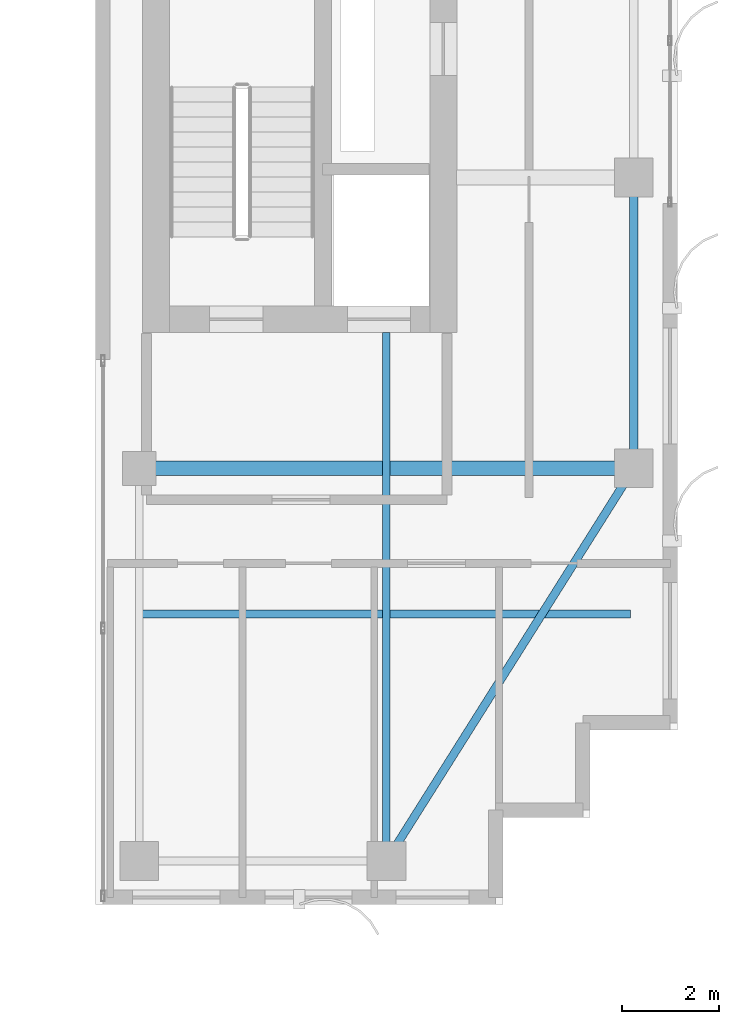
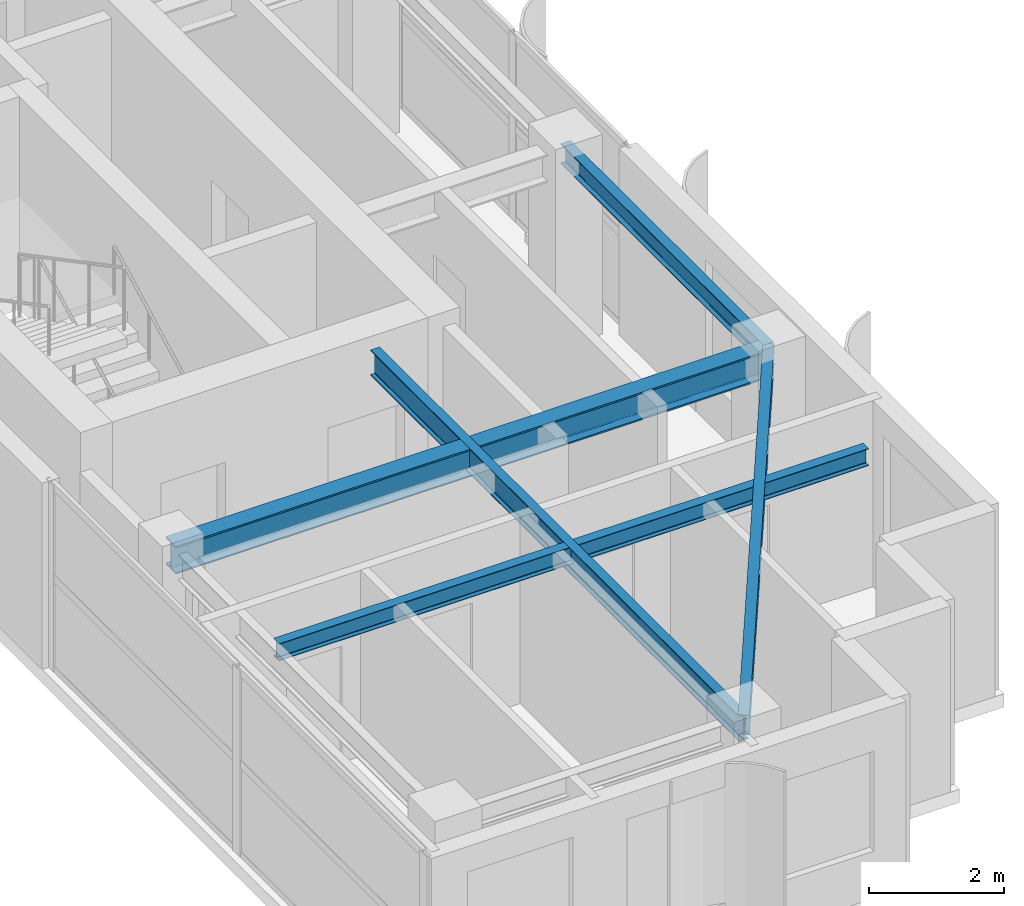
# One storey, part 11 of 22: 5 beams.
"""IFC4 building model written with IfcOpenShell, lengths in metres."""

from ifc_helpers import new_model, si_unit, direction, frame, origin, origin_2d, place, context, subcontext, project, spatial, i_section, extrude, source, transform, mapped, material, material_profile, profile_set, type_object, element, save


model = new_model("IFC4")

# Units and contexts
model_context = context("Model", 3, precision=1e-05, world=origin(), true_north=direction((0.0, 1.0)))
body_context = subcontext(model_context, "Body", "Model", "MODEL_VIEW")
ifc_project = project(units=[si_unit("LENGTHUNIT", "METRE"), si_unit("AREAUNIT", "SQUARE_METRE"), si_unit("VOLUMEUNIT", "CUBIC_METRE"), si_unit("PLANEANGLEUNIT", "RADIAN"), si_unit("MASSUNIT", "GRAM", prefix="KILO")], contexts=[model_context])

# Site, building, storey
site_placement = place(None, origin())
site = spatial("IfcSite", under=ifc_project, at=site_placement, CompositionType="ELEMENT")
building_placement = place(site_placement, origin())
building = spatial("IfcBuilding", under=site, at=building_placement, Name="Khoralis Quay Care Tower", CompositionType="ELEMENT")
storey_placement = place(building_placement, frame((0.0, 0.0, 242.10009765625)))
storey = spatial("IfcBuildingStorey", under=building, at=storey_placement, Name="L63", CompositionType="ELEMENT", Elevation=242.10009765625)

# Beams
ifc_material = material(Name="Steel S355", Category="steel")
ifc_material_profile_1 = material_profile(ifc_material, i_section(OverallWidth=0.169921875, OverallDepth=0.360107421875, WebThickness=0.008056640625, FlangeThickness=0.0126953125, FilletRadius=0.01806640625, at=origin_2d()), Name="Steel S355")
ifc_profile_set_1 = profile_set([ifc_material_profile_1], Name="Steel S355")
beam_type_1 = type_object("IfcBeamType", Name="BM-IPE360", PredefinedType="SPANDREL", material=ifc_profile_set_1)
shared_shape_1 = source(origin(), body_context, "Body", "SweptSolid", [
    extrude(i_section(OverallWidth=0.169921875, OverallDepth=0.360107421875, WebThickness=0.008056640625, FlangeThickness=0.0126953125, FilletRadius=0.01806640625, at=origin_2d()), origin(), (0.0, 0.0, 1.0), 6.0),
])
beam_1_placement = place(storey_placement, frame((41.10009765625, 12.0, 3.179931640625), z_axis=(0.0, 1.0, 0.0), x_axis=(-1.0, 0.0, 0.0)))
element("IfcBeam", 1, at=beam_1_placement, inside=storey, type_object=beam_type_1, Name="BM-TSP-L63-09", PredefinedType="SPANDREL", context=body_context, shape_type="MappedRepresentation", body=[
    mapped(shared_shape_1, transform((0.0, 0.0, 0.0), scale=1.0)),
])
shared_shape_2 = source(origin(), body_context, "Body", "SweptSolid", [
    extrude(i_section(OverallWidth=0.169921875, OverallDepth=0.360107421875, WebThickness=0.008056640625, FlangeThickness=0.0126953125, FilletRadius=0.01806640625, at=origin_2d()), origin(), (0.0, 0.0, 1.0), 9.572021484375),
])
beam_2_placement = place(storey_placement, frame((36.0, 3.89990234375, 3.179931640625), z_axis=(0.532815975602, 0.846231136359, 0.0), x_axis=(-0.846231136359, 0.532815975602, 0.0)))
element("IfcBeam", 2, at=beam_2_placement, inside=storey, type_object=beam_type_1, Name="BM-TCR-L63-14", PredefinedType="SPANDREL", context=body_context, shape_type="MappedRepresentation", body=[
    mapped(shared_shape_2, transform((0.0, 0.0, 0.0), scale=1.0)),
])
ifc_material_profile_2 = material_profile(ifc_material, i_section(OverallWidth=0.300048828125, OverallDepth=0.5, WebThickness=0.014404296875, FlangeThickness=0.028076171875, FilletRadius=0.027099609375, at=origin_2d()), Name="Steel S355")
ifc_profile_set_2 = profile_set([ifc_material_profile_2], Name="Steel S355")
beam_type_2 = type_object("IfcBeamType", Name="BM-HEB500", PredefinedType="BEAM", material=ifc_profile_set_2)
shared_shape_3 = source(origin(), body_context, "Body", "SweptSolid", [
    extrude(i_section(OverallWidth=0.300048828125, OverallDepth=0.5, WebThickness=0.014404296875, FlangeThickness=0.028076171875, FilletRadius=0.027099609375, at=origin_2d()), origin(), (0.0, 0.0, 1.0), 10.2001953125),
])
beam_3_placement = place(storey_placement, frame((30.89990234375, 12.0, 3.10986328125), z_axis=(1.0, 0.0, 0.0), x_axis=(0.0, 1.0, 0.0)))
element("IfcBeam", 3, at=beam_3_placement, inside=storey, type_object=beam_type_2, Name="BM-TGXE-L63-120", PredefinedType="BEAM", context=body_context, shape_type="MappedRepresentation", body=[
    mapped(shared_shape_3, transform((0.0, 0.0, 0.0), scale=1.0)),
])
ifc_material_profile_3 = material_profile(ifc_material, i_section(OverallWidth=0.154052734375, OverallDepth=0.458984375, WebThickness=0.009033203125, FlangeThickness=0.015380859375, FilletRadius=0.014892578125, at=origin_2d()), Name="Steel S355")
ifc_profile_set_3 = profile_set([ifc_material_profile_3], Name="Steel S355")
beam_type_3 = type_object("IfcBeamType", Name="BM-W460X68", PredefinedType="BEAM", material=ifc_profile_set_3)
shared_shape_4 = source(origin(), body_context, "Body", "SweptSolid", [
    extrude(i_section(OverallWidth=0.154052734375, OverallDepth=0.458984375, WebThickness=0.009033203125, FlangeThickness=0.015380859375, FilletRadius=0.014892578125, at=origin_2d()), origin(), (0.0, 0.0, 1.0), 10.902099609375),
])
beam_4_placement = place(storey_placement, frame((36.0, 3.89990234375, 3.13037109375), z_axis=(0.0, 1.0, 0.0), x_axis=(-1.0, 0.0, 0.0)))
element("IfcBeam", 4, at=beam_4_placement, inside=storey, type_object=beam_type_3, Name="BM-TGYS-L63-360", PredefinedType="BEAM", context=body_context, shape_type="MappedRepresentation", body=[
    mapped(shared_shape_4, transform((0.0, 0.0, 0.0), scale=1.0)),
])
ifc_material_profile_4 = material_profile(ifc_material, i_section(OverallWidth=0.1650390625, OverallDepth=0.31005859375, WebThickness=0.005859375, FlangeThickness=0.009765625, FilletRadius=0.011962890625, at=origin_2d()), Name="Steel S355")
ifc_profile_set_4 = profile_set([ifc_material_profile_4], Name="Steel S355")
beam_type_4 = type_object("IfcBeamType", Name="BM-W310X39", PredefinedType="JOIST", material=ifc_profile_set_4)
shared_shape_5 = source(origin(), body_context, "Body", "SweptSolid", [
    extrude(i_section(OverallWidth=0.1650390625, OverallDepth=0.31005859375, WebThickness=0.005859375, FlangeThickness=0.009765625, FilletRadius=0.011962890625, at=origin_2d()), origin(), (0.0, 0.0, 1.0), 10.06396484375),
])
beam_5_placement = place(storey_placement, frame((30.965087890625, 9.0, 3.204833984375), z_axis=(1.0, 0.0, 0.0), x_axis=(0.0, 1.0, 0.0)))
element("IfcBeam", 5, at=beam_5_placement, inside=storey, type_object=beam_type_4, Name="BM-TJS-L63-18", PredefinedType="JOIST", context=body_context, shape_type="MappedRepresentation", body=[
    mapped(shared_shape_5, transform((0.0, 0.0, 0.0), scale=1.0)),
])

save(model, "model.ifc")
